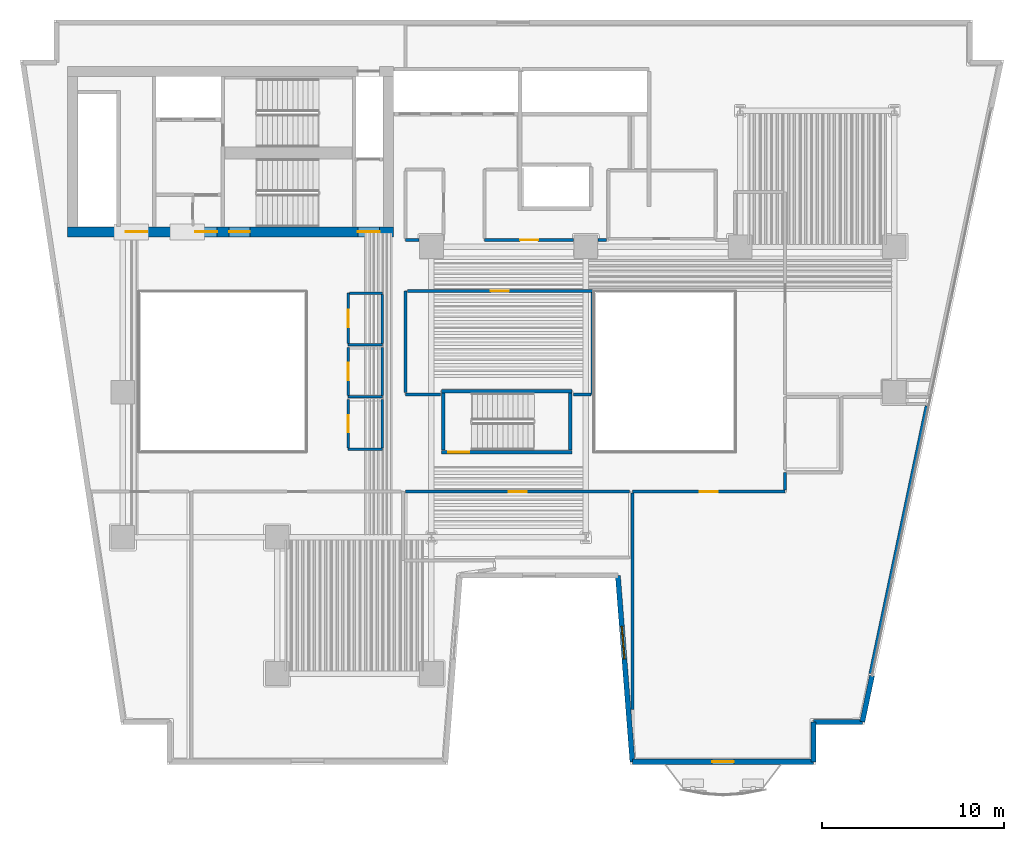
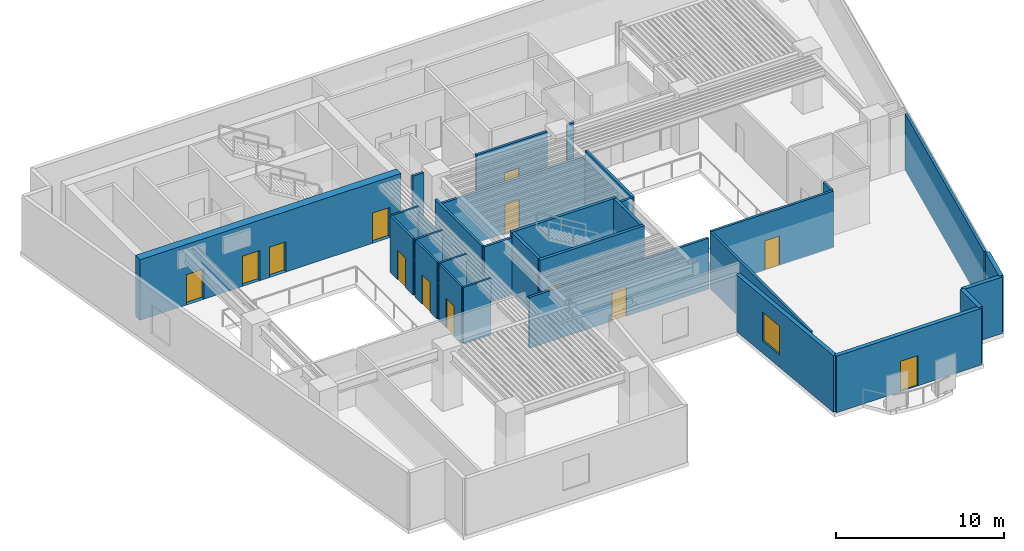
# One storey, part 4 of 12: 33 walls, 13 doors, 1 window, 14 openings.
"""IFC4 building model written with IfcOpenShell, lengths in metres."""

from ifc_helpers import new_model, si_unit, direction, frame, frame_2d, origin, place, context, subcontext, project, spatial, rectangle, extrude, material, layer, layer_set, type_object, element, fill, save


model = new_model("IFC4")

# Units and contexts
model_context = context("Model", 3, precision=1e-05, world=origin(), true_north=direction((0.0, 1.0)))
body_context = subcontext(model_context, "Body", "Model", "MODEL_VIEW")
ifc_project = project(units=[si_unit("LENGTHUNIT", "METRE"), si_unit("AREAUNIT", "SQUARE_METRE"), si_unit("VOLUMEUNIT", "CUBIC_METRE"), si_unit("PLANEANGLEUNIT", "RADIAN"), si_unit("MASSUNIT", "GRAM", prefix="KILO")], contexts=[model_context])

# Site, building, storey
site_placement = place(None, origin())
site = spatial("IfcSite", under=ifc_project, at=site_placement, CompositionType="ELEMENT")
building_placement = place(site_placement, origin())
building = spatial("IfcBuilding", under=site, at=building_placement, Name="Caeloran Harvest Quay", CompositionType="ELEMENT")
storey_placement = place(building_placement, frame((0.0, 0.0, 93.0)))
storey = spatial("IfcBuildingStorey", under=building, at=storey_placement, Name="L21", CompositionType="ELEMENT", Elevation=93.0)

# Walls
ifc_material_1 = material(Name="Precast concrete C50/60", Category="concrete")
ifc_layer_1 = layer(ifc_material_1, 0.280029296875, Name="Precast concrete C50/60")
ifc_layer_set_1 = layer_set([ifc_layer_1], Name="Precast concrete C50/60")
wall_type_1 = type_object("IfcWallType", Name="ENV-WALL-EW-280", PredefinedType="STANDARD", material=ifc_layer_set_1)
wall_1_placement = place(storey_placement, frame((49.77001953125, 7.384521484375, 0.0), z_axis=(0.0, 0.0, 1.0), x_axis=(-0.205551409765, -0.978646319128, 0.0)))
element("IfcWall", 1, at=wall_1_placement, inside=storey, type_object=wall_type_1, Name="L21 Exterior Facade Corner Pier Wall 9B", PredefinedType="STANDARD", context=body_context, shape_type="SweptSolid", body=[
    extrude(rectangle(XDim=2.599853515625, YDim=0.280029296875, at=frame_2d((1.2998046875, 0.0))), origin(), (0.0, 0.0, 1.0), 4.114990234375),
])
wall_2_placement = place(storey_placement, frame((49.235595703125, 4.840087890625, 0.0), z_axis=(0.0, 0.0, 1.0), x_axis=(-1.0, 0.0, 0.0)))
element("IfcWall", 2, at=wall_2_placement, inside=storey, type_object=wall_type_1, Name="L21 Exterior Precast Concrete Facade Wall 10", PredefinedType="STANDARD", context=body_context, shape_type="SweptSolid", body=[
    extrude(rectangle(XDim=2.6884765625, YDim=0.280029296875, at=frame_2d((1.34423828125, 0.0))), origin(), (0.0, 0.0, 1.0), 4.114990234375),
])
wall_3_placement = place(storey_placement, frame((46.547119140625, 4.840087890625, 0.0), z_axis=(0.0, 0.0, 1.0), x_axis=(0.0, -1.0, 0.0)))
element("IfcWall", 3, at=wall_3_placement, inside=storey, type_object=wall_type_1, Name="L21 Exterior Precast Concrete Facade Wall 11", PredefinedType="STANDARD", context=body_context, shape_type="SweptSolid", body=[
    extrude(rectangle(XDim=2.2001953125, YDim=0.280029296875, at=frame_2d((1.10009765625, 0.0))), origin(), (0.0, 0.0, 1.0), 4.114990234375),
])

# Wall, opening, door
wall_4_placement = place(storey_placement, frame((46.547119140625, 2.639892578125, 0.0), z_axis=(0.0, 0.0, 1.0), x_axis=(-1.0, 0.0, 0.0)))
wall_4 = element("IfcWall", 4, at=wall_4_placement, inside=storey, type_object=wall_type_1, Name="L21 Exterior Precast Concrete Facade Wall 12", PredefinedType="STANDARD", context=body_context, shape_type="SweptSolid", body=[
    extrude(rectangle(XDim=9.97705078125, YDim=0.280029296875, at=frame_2d((4.988525390625, 0.0))), origin(), (0.0, 0.0, 1.0), 4.114990234375),
])
opening_1_placement = place(wall_4_placement, frame((4.387939453125, 0.0, 0.0)))
opening_1 = element("IfcOpeningElement", 5, at=opening_1_placement, cuts=wall_4, Name="Opening BD-01", PredefinedType="OPENING", context=body_context, shape_type="SweptSolid", body=[
    extrude(rectangle(XDim=1.199951171875, YDim=2.199951171875, at=frame_2d((0.60009765625, 1.10009765625))), frame((0.0, 0.14990234375, 0.0), z_axis=(0.0, -1.0, 0.0), x_axis=(1.0, 0.0, 0.0)), (0.0, 0.0, 1.0), 0.300048828125),
])
ifc_material_2 = material(Name="Thermally Broken Powder-Coated Aluminium and Safety Glass", Category="aluminium")
door_type_1 = type_object("IfcDoorType", Name="EXTDOOR-BD-01", OperationType="NOTDEFINED", PredefinedType="DOOR", material=ifc_material_2)
door_1_placement = place(opening_1_placement, origin())
door_1 = element("IfcDoor", 6, at=door_1_placement, inside=storey, type_object=door_type_1, Name="L21 Planted Balcony Glazed Access Door", OperationType="SINGLE_SWING_RIGHT", OverallHeight=2.199951171875, OverallWidth=1.199951171875, PredefinedType="DOOR", context=body_context, shape_type="SweptSolid", body=[
    extrude(rectangle(XDim=1.199951171875, YDim=2.199951171875, at=frame_2d((0.60009765625, 1.10009765625))), frame((0.0, 0.02490234375, 0.0), z_axis=(0.0, -1.0, 0.0), x_axis=(1.0, 0.0, 0.0)), (0.0, 0.0, 1.0), 0.050048828125),
])
fill(opening_1, door_1)

# Wall, opening, window
wall_5_placement = place(storey_placement, frame((36.570068359375, 2.639892578125, 0.0), z_axis=(0.0, 0.0, 1.0), x_axis=(-0.077816860153, 0.996967670627, 0.0)))
wall_5 = element("IfcWall", 7, at=wall_5_placement, inside=storey, type_object=wall_type_1, Name="L21 Exterior Precast Concrete Facade Wall 13", PredefinedType="STANDARD", context=body_context, shape_type="SweptSolid", body=[
    extrude(rectangle(XDim=10.28125, YDim=0.280029296875, at=frame_2d((5.140625, 0.0))), origin(), (0.0, 0.0, 1.0), 4.114990234375),
])
opening_2_placement = place(wall_5_placement, frame((5.679931640625, 0.0, 0.89990234375)))
opening_2 = element("IfcOpeningElement", 8, at=opening_2_placement, cuts=wall_5, Name="Opening W-01", PredefinedType="OPENING", context=body_context, shape_type="SweptSolid", body=[
    extrude(rectangle(XDim=1.800048828125, YDim=2.10009765625, at=frame_2d((0.89990234375, 1.050048828125))), frame((0.0, 0.14990234375, 0.0), z_axis=(0.0, -1.0, 0.0), x_axis=(1.0, 0.0, 0.0)), (0.0, 0.0, 1.0), 0.300048828125),
])
ifc_material_3 = material(Name="Aluminium-Framed Low-E Laminated Glass", Category="aluminium")
window_type = type_object("IfcWindowType", Name="WIN-W-01", PartitioningType="SINGLE_PANEL", PredefinedType="WINDOW", material=ifc_material_3)
window_placement = place(opening_2_placement, origin())
window = element("IfcWindow", 9, at=window_placement, inside=storey, type_object=window_type, Name="L21 Facade Punched Window W-01", OverallHeight=2.10009765625, OverallWidth=1.800048828125, PartitioningType="SINGLE_PANEL", PredefinedType="WINDOW", context=body_context, shape_type="SweptSolid", body=[
    extrude(rectangle(XDim=1.800048828125, YDim=2.10009765625, at=frame_2d((0.89990234375, 1.050048828125))), frame((0.0, 0.030029296875, 0.0), z_axis=(0.0, -1.0, 0.0), x_axis=(1.0, 0.0, 0.0)), (0.0, 0.0, 1.0), 0.06005859375),
])
fill(opening_2, window)

# Wall
ifc_material_4 = material(Name="Moisture-Resistant Cement-Board Sanitary Partition", Category="gypsum")
ifc_layer_2 = layer(ifc_material_4, 0.139892578125, Name="Moisture-Resistant Cement-Board Sanitary Partition")
ifc_layer_set_2 = layer_set([ifc_layer_2], Name="Moisture-Resistant Cement-Board Sanitary Partition")
wall_type_2 = type_object("IfcWallType", Name="INT-WALL-PW-140", PredefinedType="PARTITIONING", material=ifc_layer_set_2)
wall_6_placement = place(storey_placement, frame((22.800048828125, 25.60009765625, 0.0), z_axis=(0.0, 0.0, 1.0), x_axis=(-1.0, 0.0, 0.0)))
element("IfcWall", 10, at=wall_6_placement, inside=storey, type_object=wall_type_2, Name="L21 Male Washroom WC Partition Wall", PredefinedType="PARTITIONING", context=body_context, shape_type="SweptSolid", body=[
    extrude(rectangle(XDim=1.89013671875, YDim=0.139892578125, at=frame_2d((0.945068359375, 0.0))), origin(), (0.0, 0.0, 1.0), 4.114990234375),
])

# Wall, opening, door
wall_7_placement = place(storey_placement, frame((20.909912109375, 25.675048828125, 0.0), z_axis=(0.0, 0.0, 1.0), x_axis=(0.0, 1.0, 0.0)))
wall_7 = element("IfcWall", 11, at=wall_7_placement, inside=storey, type_object=wall_type_2, Name="L21 Male Washroom WC Partition Wall", PredefinedType="PARTITIONING", context=body_context, shape_type="SweptSolid", body=[
    extrude(rectangle(XDim=2.77490234375, YDim=0.139892578125, at=frame_2d((1.387451171875, 0.0))), origin(), (0.0, 0.0, 1.0), 4.114990234375),
])
opening_3_placement = place(wall_7_placement, frame((0.91259765625, 0.0, 0.0)))
opening_3 = element("IfcOpeningElement", 12, at=opening_3_placement, cuts=wall_7, Name="Opening WC-01", PredefinedType="OPENING", context=body_context, shape_type="SweptSolid", body=[
    extrude(rectangle(XDim=0.949951171875, YDim=2.14990234375, at=frame_2d((0.47509765625, 1.074951171875))), frame((0.0, 0.080078125, 0.0), z_axis=(0.0, -1.0, 0.0), x_axis=(1.0, 0.0, 0.0)), (0.0, 0.0, 1.0), 0.159912109375),
])
ifc_material_5 = material(Name="High-Pressure Laminate Moisture-Resistant Timber", Category="wood")
door_type_2 = type_object("IfcDoorType", Name="INTDOOR-WC-01", OperationType="NOTDEFINED", PredefinedType="DOOR", material=ifc_material_5)
door_2_placement = place(opening_3_placement, origin())
door_2 = element("IfcDoor", 13, at=door_2_placement, inside=storey, type_object=door_type_2, Name="L21 Male Washroom WC Access Door", OperationType="SINGLE_SWING_RIGHT", OverallHeight=2.14990234375, OverallWidth=0.949951171875, PredefinedType="DOOR", context=body_context, shape_type="SweptSolid", body=[
    extrude(rectangle(XDim=0.949951171875, YDim=2.14990234375, at=frame_2d((0.47509765625, 1.074951171875))), frame((0.0, 0.02490234375, 0.0), z_axis=(0.0, -1.0, 0.0), x_axis=(1.0, 0.0, 0.0)), (0.0, 0.0, 1.0), 0.050048828125),
])
fill(opening_3, door_2)

# Walls
wall_8_placement = place(storey_placement, frame((20.985107421875, 28.449951171875, 0.0), z_axis=(0.0, 0.0, 1.0), x_axis=(1.0, 0.0, 0.0)))
element("IfcWall", 14, at=wall_8_placement, inside=storey, type_object=wall_type_2, Name="L21 Male Washroom WC Partition Wall", PredefinedType="PARTITIONING", context=body_context, shape_type="SweptSolid", body=[
    extrude(rectangle(XDim=1.81494140625, YDim=0.139892578125, at=frame_2d((0.907470703125, 0.0))), origin(), (0.0, 0.0, 1.0), 4.114990234375),
])
wall_9_placement = place(storey_placement, frame((22.800048828125, 28.375, 0.0), z_axis=(0.0, 0.0, 1.0), x_axis=(0.0, -1.0, 0.0)))
element("IfcWall", 15, at=wall_9_placement, inside=storey, type_object=wall_type_2, Name="L21 Male Washroom WC Partition Wall", PredefinedType="PARTITIONING", context=body_context, shape_type="SweptSolid", body=[
    extrude(rectangle(XDim=2.699951171875, YDim=0.139892578125, at=frame_2d((1.35009765625, 0.0))), origin(), (0.0, 0.0, 1.0), 3.699951171875),
])
wall_10_placement = place(storey_placement, frame((22.800048828125, 22.75, 0.0), z_axis=(0.0, 0.0, 1.0), x_axis=(-1.0, 0.0, 0.0)))
element("IfcWall", 16, at=wall_10_placement, inside=storey, type_object=wall_type_2, Name="L21 Female Washroom WC Partition Wall", PredefinedType="PARTITIONING", context=body_context, shape_type="SweptSolid", body=[
    extrude(rectangle(XDim=1.89013671875, YDim=0.139892578125, at=frame_2d((0.945068359375, 0.0))), origin(), (0.0, 0.0, 1.0), 4.114990234375),
])

# Wall, opening, door
wall_11_placement = place(storey_placement, frame((20.909912109375, 22.824951171875, 0.0), z_axis=(0.0, 0.0, 1.0), x_axis=(0.0, 1.0, 0.0)))
wall_11 = element("IfcWall", 17, at=wall_11_placement, inside=storey, type_object=wall_type_2, Name="L21 Female Washroom WC Partition Wall", PredefinedType="PARTITIONING", context=body_context, shape_type="SweptSolid", body=[
    extrude(rectangle(XDim=2.625, YDim=0.139892578125, at=frame_2d((1.3125, 0.0))), origin(), (0.0, 0.0, 1.0), 4.114990234375),
])
opening_4_placement = place(wall_11_placement, frame((0.83740234375, 0.0, 0.0)))
opening_4 = element("IfcOpeningElement", 18, at=opening_4_placement, cuts=wall_11, Name="Opening WC-01", PredefinedType="OPENING", context=body_context, shape_type="SweptSolid", body=[
    extrude(rectangle(XDim=0.949951171875, YDim=2.14990234375, at=frame_2d((0.47509765625, 1.074951171875))), frame((0.0, 0.080078125, 0.0), z_axis=(0.0, -1.0, 0.0), x_axis=(1.0, 0.0, 0.0)), (0.0, 0.0, 1.0), 0.159912109375),
])
door_3_placement = place(opening_4_placement, origin())
door_3 = element("IfcDoor", 19, at=door_3_placement, inside=storey, type_object=door_type_2, Name="L21 Female Washroom WC Access Door", OperationType="SINGLE_SWING_LEFT", OverallHeight=2.14990234375, OverallWidth=0.949951171875, PredefinedType="DOOR", context=body_context, shape_type="SweptSolid", body=[
    extrude(rectangle(XDim=0.949951171875, YDim=2.14990234375, at=frame_2d((0.47509765625, 1.074951171875))), frame((0.0, 0.02490234375, 0.0), z_axis=(0.0, -1.0, 0.0), x_axis=(1.0, 0.0, 0.0)), (0.0, 0.0, 1.0), 0.050048828125),
])
fill(opening_4, door_3)

# Walls
wall_12_placement = place(storey_placement, frame((22.800048828125, 25.449951171875, 0.0), z_axis=(0.0, 0.0, 1.0), x_axis=(0.0, -1.0, 0.0)))
element("IfcWall", 20, at=wall_12_placement, inside=storey, type_object=wall_type_2, Name="L21 Female Washroom WC Partition Wall", PredefinedType="PARTITIONING", context=body_context, shape_type="SweptSolid", body=[
    extrude(rectangle(XDim=2.625, YDim=0.139892578125, at=frame_2d((1.3125, 0.0))), origin(), (0.0, 0.0, 1.0), 3.699951171875),
])
wall_13_placement = place(storey_placement, frame((22.800048828125, 19.85009765625, 0.0), z_axis=(0.0, 0.0, 1.0), x_axis=(-1.0, 0.0, 0.0)))
element("IfcWall", 21, at=wall_13_placement, inside=storey, type_object=wall_type_2, Name="L21 Accessible Unisex Washroom WC Partition Wall", PredefinedType="PARTITIONING", context=body_context, shape_type="SweptSolid", body=[
    extrude(rectangle(XDim=1.89013671875, YDim=0.139892578125, at=frame_2d((0.945068359375, 0.0))), origin(), (0.0, 0.0, 1.0), 4.114990234375),
])

# Wall, opening, door
wall_14_placement = place(storey_placement, frame((20.909912109375, 19.925048828125, 0.0), z_axis=(0.0, 0.0, 1.0), x_axis=(0.0, 1.0, 0.0)))
wall_14 = element("IfcWall", 22, at=wall_14_placement, inside=storey, type_object=wall_type_2, Name="L21 Accessible Unisex Washroom WC Partition Wall", PredefinedType="PARTITIONING", context=body_context, shape_type="SweptSolid", body=[
    extrude(rectangle(XDim=2.675048828125, YDim=0.139892578125, at=frame_2d((1.33740234375, 0.0))), origin(), (0.0, 0.0, 1.0), 4.114990234375),
])
opening_5_placement = place(wall_14_placement, frame((0.862548828125, 0.0, 0.0)))
opening_5 = element("IfcOpeningElement", 23, at=opening_5_placement, cuts=wall_14, Name="Opening WC-01", PredefinedType="OPENING", context=body_context, shape_type="SweptSolid", body=[
    extrude(rectangle(XDim=0.949951171875, YDim=2.14990234375, at=frame_2d((0.47509765625, 1.074951171875))), frame((0.0, 0.080078125, 0.0), z_axis=(0.0, -1.0, 0.0), x_axis=(1.0, 0.0, 0.0)), (0.0, 0.0, 1.0), 0.159912109375),
])
door_4_placement = place(opening_5_placement, origin())
door_4 = element("IfcDoor", 24, at=door_4_placement, inside=storey, type_object=door_type_2, Name="L21 Accessible Unisex Washroom WC Access Door", OperationType="SINGLE_SWING_RIGHT", OverallHeight=2.14990234375, OverallWidth=0.949951171875, PredefinedType="DOOR", context=body_context, shape_type="SweptSolid", body=[
    extrude(rectangle(XDim=0.949951171875, YDim=2.14990234375, at=frame_2d((0.47509765625, 1.074951171875))), frame((0.0, 0.02490234375, 0.0), z_axis=(0.0, -1.0, 0.0), x_axis=(1.0, 0.0, 0.0)), (0.0, 0.0, 1.0), 0.050048828125),
])
fill(opening_5, door_4)

# Wall
wall_15_placement = place(storey_placement, frame((22.800048828125, 22.60009765625, 0.0), z_axis=(0.0, 0.0, 1.0), x_axis=(0.0, -1.0, 0.0)))
element("IfcWall", 25, at=wall_15_placement, inside=storey, type_object=wall_type_2, Name="L21 Accessible Unisex Washroom WC Partition Wall", PredefinedType="PARTITIONING", context=body_context, shape_type="SweptSolid", body=[
    extrude(rectangle(XDim=2.675048828125, YDim=0.139892578125, at=frame_2d((1.33740234375, 0.0))), origin(), (0.0, 0.0, 1.0), 3.699951171875),
])

# Wall, opening, door
ifc_material_6 = material(Name="Autoclaved Aerated Concrete Blockwork", Category="masonry")
ifc_layer_3 = layer(ifc_material_6, 0.1650390625, Name="Autoclaved Aerated Concrete Blockwork")
ifc_layer_set_3 = layer_set([ifc_layer_3], Name="Autoclaved Aerated Concrete Blockwork")
wall_type_3 = type_object("IfcWallType", Name="INT-WALL-PW-165", PredefinedType="PARTITIONING", material=ifc_layer_set_3)
wall_16_placement = place(storey_placement, frame((36.580078125, 17.52001953125, 0.0), z_axis=(0.0, 0.0, 1.0), x_axis=(1.0, 0.0, 0.0)))
wall_16 = element("IfcWall", 26, at=wall_16_placement, inside=storey, type_object=wall_type_3, Name="Biophilic Architecture Atelier Partition Wall", PredefinedType="PARTITIONING", context=body_context, shape_type="SweptSolid", body=[
    extrude(rectangle(XDim=8.39990234375, YDim=0.1650390625, at=frame_2d((4.199951171875, 0.0))), origin(), (0.0, 0.0, 1.0), 4.114990234375),
])
opening_6_placement = place(wall_16_placement, frame((3.699951171875, 0.0, 0.0)))
opening_6 = element("IfcOpeningElement", 27, at=opening_6_placement, cuts=wall_16, Name="Opening ID-01", PredefinedType="OPENING", context=body_context, shape_type="SweptSolid", body=[
    extrude(rectangle(XDim=1.0, YDim=2.14990234375, at=frame_2d((0.5, 1.074951171875))), frame((0.0, 0.092529296875, 0.0), z_axis=(0.0, -1.0, 0.0), x_axis=(1.0, 0.0, 0.0)), (0.0, 0.0, 1.0), 0.18505859375),
])
ifc_material_7 = material(Name="FSC Solid-Core Ash Timber and Acoustic Seal", Category="wood")
door_type_3 = type_object("IfcDoorType", Name="INTDOOR-ID-01", OperationType="NOTDEFINED", PredefinedType="DOOR", material=ifc_material_7)
door_5_placement = place(opening_6_placement, origin())
door_5 = element("IfcDoor", 28, at=door_5_placement, inside=storey, type_object=door_type_3, Name="Biophilic Architecture Atelier Access Door", OperationType="SINGLE_SWING_LEFT", OverallHeight=2.14990234375, OverallWidth=1.0, PredefinedType="DOOR", context=body_context, shape_type="SweptSolid", body=[
    extrude(rectangle(XDim=1.0, YDim=2.14990234375, at=frame_2d((0.5, 1.074951171875))), frame((0.0, 0.02490234375, 0.0), z_axis=(0.0, -1.0, 0.0), x_axis=(1.0, 0.0, 0.0)), (0.0, 0.0, 1.0), 0.050048828125),
])
fill(opening_6, door_5)

# Walls
wall_17_placement = place(storey_placement, frame((44.97998046875, 17.607421875, 0.0), z_axis=(0.0, 0.0, 1.0), x_axis=(0.0, 1.0, 0.0)))
element("IfcWall", 29, at=wall_17_placement, inside=storey, type_object=wall_type_3, Name="Biophilic Architecture Atelier Partition Wall", PredefinedType="PARTITIONING", context=body_context, shape_type="SweptSolid", body=[
    extrude(rectangle(XDim=0.962646484375, YDim=0.1650390625, at=frame_2d((0.4814453125, 0.0))), origin(), (0.0, 0.0, 1.0), 4.114990234375),
])
wall_18_placement = place(storey_placement, frame((52.769775390625, 22.24755859375, 0.0), z_axis=(0.0, 0.0, 1.0), x_axis=(-0.205582566906, -0.978639774475, 0.0)))
element("IfcWall", 30, at=wall_18_placement, inside=storey, type_object=wall_type_3, Name="Biophilic Architecture Atelier Partition Wall", PredefinedType="PARTITIONING", context=body_context, shape_type="SweptSolid", body=[
    extrude(rectangle(XDim=15.067626953125, YDim=0.1650390625, at=frame_2d((7.53369140625, 0.0))), origin(), (0.0, 0.0, 1.0), 4.114990234375),
])
wall_19_placement = place(storey_placement, frame((36.580078125, 5.525390625, 0.0), z_axis=(0.0, 0.0, 1.0), x_axis=(0.0, 1.0, 0.0)))
element("IfcWall", 31, at=wall_19_placement, inside=storey, type_object=wall_type_3, Name="Biophilic Architecture Atelier Partition Wall", PredefinedType="PARTITIONING", context=body_context, shape_type="SweptSolid", body=[
    extrude(rectangle(XDim=11.9072265625, YDim=0.1650390625, at=frame_2d((5.95361328125, 0.0))), origin(), (0.0, 0.0, 1.0), 4.114990234375),
])

# Wall, opening, door
wall_20_placement = place(storey_placement, frame((24.080078125, 17.52001953125, 0.0), z_axis=(0.0, 0.0, 1.0), x_axis=(1.0, 0.0, 0.0)))
wall_20 = element("IfcWall", 32, at=wall_20_placement, inside=storey, type_object=wall_type_3, Name="Client Briefing Conference Room Partition Wall", PredefinedType="PARTITIONING", context=body_context, shape_type="SweptSolid", body=[
    extrude(rectangle(XDim=12.33984375, YDim=0.1650390625, at=frame_2d((6.169921875, 0.0))), origin(), (0.0, 0.0, 1.0), 3.699951171875),
])
opening_7_placement = place(wall_20_placement, frame((5.669921875, 0.0, 0.0)))
opening_7 = element("IfcOpeningElement", 33, at=opening_7_placement, cuts=wall_20, Name="Opening ID-01", PredefinedType="OPENING", context=body_context, shape_type="SweptSolid", body=[
    extrude(rectangle(XDim=1.0, YDim=2.14990234375, at=frame_2d((0.5, 1.074951171875))), frame((0.0, 0.092529296875, 0.0), z_axis=(0.0, -1.0, 0.0), x_axis=(1.0, 0.0, 0.0)), (0.0, 0.0, 1.0), 0.18505859375),
])
door_6_placement = place(opening_7_placement, origin())
door_6 = element("IfcDoor", 34, at=door_6_placement, inside=storey, type_object=door_type_3, Name="Client Briefing Conference Room Access Door", OperationType="SINGLE_SWING_RIGHT", OverallHeight=2.14990234375, OverallWidth=1.0, PredefinedType="DOOR", context=body_context, shape_type="SweptSolid", body=[
    extrude(rectangle(XDim=1.0, YDim=2.14990234375, at=frame_2d((0.5, 1.074951171875))), frame((0.0, 0.02490234375, 0.0), z_axis=(0.0, -1.0, 0.0), x_axis=(1.0, 0.0, 0.0)), (0.0, 0.0, 1.0), 0.050048828125),
])
fill(opening_7, door_6)

# Walls
wall_21_placement = place(storey_placement, frame((25.98681640625, 22.8798828125, 0.0), z_axis=(0.0, 0.0, 1.0), x_axis=(-1.0, 0.0, 0.0)))
element("IfcWall", 35, at=wall_21_placement, inside=storey, type_object=wall_type_3, Name="Botanical Sketch Studio Partition Wall", PredefinedType="PARTITIONING", context=body_context, shape_type="SweptSolid", body=[
    extrude(rectangle(XDim=1.90673828125, YDim=0.1650390625, at=frame_2d((0.953369140625, 0.0))), origin(), (0.0, 0.0, 1.0), 4.114990234375),
])
wall_22_placement = place(storey_placement, frame((24.080078125, 22.967529296875, 0.0), z_axis=(0.0, 0.0, 1.0), x_axis=(0.0, 1.0, 0.0)))
element("IfcWall", 36, at=wall_22_placement, inside=storey, type_object=wall_type_3, Name="Botanical Sketch Studio Partition Wall", PredefinedType="PARTITIONING", context=body_context, shape_type="SweptSolid", body=[
    extrude(rectangle(XDim=5.6025390625, YDim=0.1650390625, at=frame_2d((2.80126953125, 0.0))), origin(), (0.0, 0.0, 1.0), 4.114990234375),
])

# Wall, opening, door
wall_23_placement = place(storey_placement, frame((24.16748046875, 28.570068359375, 0.0), z_axis=(0.0, 0.0, 1.0), x_axis=(1.0, 0.0, 0.0)))
wall_23 = element("IfcWall", 37, at=wall_23_placement, inside=storey, type_object=wall_type_3, Name="Botanical Sketch Studio Partition Wall", PredefinedType="PARTITIONING", context=body_context, shape_type="SweptSolid", body=[
    extrude(rectangle(XDim=10.20263671875, YDim=0.1650390625, at=frame_2d((5.101318359375, 0.0))), origin(), (0.0, 0.0, 1.0), 3.699951171875),
])
opening_8_placement = place(wall_23_placement, frame((4.601318359375, 0.0, 0.0)))
opening_8 = element("IfcOpeningElement", 38, at=opening_8_placement, cuts=wall_23, Name="Opening ID-01", PredefinedType="OPENING", context=body_context, shape_type="SweptSolid", body=[
    extrude(rectangle(XDim=1.0, YDim=2.14990234375, at=frame_2d((0.5, 1.074951171875))), frame((0.0, 0.092529296875, 0.0), z_axis=(0.0, -1.0, 0.0), x_axis=(1.0, 0.0, 0.0)), (0.0, 0.0, 1.0), 0.18505859375),
])
door_7_placement = place(opening_8_placement, origin())
door_7 = element("IfcDoor", 39, at=door_7_placement, inside=storey, type_object=door_type_3, Name="Botanical Sketch Studio Access Door", OperationType="SINGLE_SWING_RIGHT", OverallHeight=2.14990234375, OverallWidth=1.0, PredefinedType="DOOR", context=body_context, shape_type="SweptSolid", body=[
    extrude(rectangle(XDim=1.0, YDim=2.14990234375, at=frame_2d((0.5, 1.074951171875))), frame((0.0, 0.02490234375, 0.0), z_axis=(0.0, -1.0, 0.0), x_axis=(1.0, 0.0, 0.0)), (0.0, 0.0, 1.0), 0.050048828125),
])
fill(opening_8, door_7)

# Walls
wall_24_placement = place(storey_placement, frame((34.3701171875, 28.482421875, 0.0), z_axis=(0.0, 0.0, 1.0), x_axis=(0.0, -1.0, 0.0)))
element("IfcWall", 40, at=wall_24_placement, inside=storey, type_object=wall_type_3, Name="Botanical Sketch Studio Partition Wall", PredefinedType="PARTITIONING", context=body_context, shape_type="SweptSolid", body=[
    extrude(rectangle(XDim=5.6025390625, YDim=0.1650390625, at=frame_2d((2.80126953125, 0.0))), origin(), (0.0, 0.0, 1.0), 4.114990234375),
])
wall_25_placement = place(storey_placement, frame((34.282470703125, 22.8798828125, 0.0), z_axis=(0.0, 0.0, 1.0), x_axis=(-1.0, 0.0, 0.0)))
element("IfcWall", 41, at=wall_25_placement, inside=storey, type_object=wall_type_3, Name="Botanical Sketch Studio Partition Wall", PredefinedType="PARTITIONING", context=body_context, shape_type="SweptSolid", body=[
    extrude(rectangle(XDim=0.96923828125, YDim=0.1650390625, at=frame_2d((0.484619140625, 0.0))), origin(), (0.0, 0.0, 1.0), 4.114990234375),
])
wall_26_placement = place(storey_placement, frame((24.824951171875, 31.3798828125, 0.0), z_axis=(0.0, 0.0, 1.0), x_axis=(-1.0, 0.0, 0.0)))
element("IfcWall", 42, at=wall_26_placement, inside=storey, type_object=wall_type_3, Name="Partner Boardroom Partition Wall", PredefinedType="PARTITIONING", context=body_context, shape_type="SweptSolid", body=[
    extrude(rectangle(XDim=0.744873046875, YDim=0.1650390625, at=frame_2d((0.37255859375, 0.0))), origin(), (0.0, 0.0, 1.0), 4.114990234375),
])
wall_27_placement = place(storey_placement, frame((35.155517578125, 31.3798828125, 0.0), z_axis=(0.0, 0.0, 1.0), x_axis=(-1.0, 0.0, 0.0)))
element("IfcWall", 43, at=wall_27_placement, inside=storey, type_object=wall_type_3, Name="Executive Agronomy Design Studio 8 Partition Wall", PredefinedType="PARTITIONING", context=body_context, shape_type="SweptSolid", body=[
    extrude(rectangle(XDim=0.48046875, YDim=0.1650390625, at=frame_2d((0.240234375, 0.0))), origin(), (0.0, 0.0, 1.0), 4.114990234375),
])

# Wall, opening, door
wall_28_placement = place(storey_placement, frame((33.324951171875, 31.3798828125, 0.0), z_axis=(0.0, 0.0, 1.0), x_axis=(-1.0, 0.0, 0.0)))
wall_28 = element("IfcWall", 44, at=wall_28_placement, inside=storey, type_object=wall_type_3, Name="Executive Agronomy Design Studio 8 Partition Wall", PredefinedType="PARTITIONING", context=body_context, shape_type="SweptSolid", body=[
    extrude(rectangle(XDim=4.89501953125, YDim=0.1650390625, at=frame_2d((2.447509765625, 0.0))), origin(), (0.0, 0.0, 1.0), 4.114990234375),
])
opening_9_placement = place(wall_28_placement, frame((1.947509765625, 0.0, 0.0)))
opening_9 = element("IfcOpeningElement", 45, at=opening_9_placement, cuts=wall_28, Name="Opening ID-01", PredefinedType="OPENING", context=body_context, shape_type="SweptSolid", body=[
    extrude(rectangle(XDim=1.0, YDim=2.14990234375, at=frame_2d((0.5, 1.074951171875))), frame((0.0, 0.092529296875, 0.0), z_axis=(0.0, -1.0, 0.0), x_axis=(1.0, 0.0, 0.0)), (0.0, 0.0, 1.0), 0.18505859375),
])
door_8_placement = place(opening_9_placement, origin())
door_8 = element("IfcDoor", 46, at=door_8_placement, inside=storey, type_object=door_type_3, Name="Executive Agronomy Design Studio 8 Access Door", OperationType="SINGLE_SWING_RIGHT", OverallHeight=2.14990234375, OverallWidth=1.0, PredefinedType="DOOR", context=body_context, shape_type="SweptSolid", body=[
    extrude(rectangle(XDim=1.0, YDim=2.14990234375, at=frame_2d((0.5, 1.074951171875))), frame((0.0, 0.02490234375, 0.0), z_axis=(0.0, -1.0, 0.0), x_axis=(1.0, 0.0, 0.0)), (0.0, 0.0, 1.0), 0.050048828125),
])
fill(opening_9, door_8)

# Wall, openings, doors
ifc_material_8 = material(Name="Concrete C80/95", Category="concrete")
ifc_layer_4 = layer(ifc_material_8, 0.550048828125, Name="Concrete C80/95")
ifc_layer_set_4 = layer_set([ifc_layer_4], Name="Concrete C80/95")
wall_type_4 = type_object("IfcWallType", Name="STR-WALL-CW-550", PredefinedType="SHEAR", material=ifc_layer_set_4)
wall_29_placement = place(storey_placement, frame((5.449951171875, 31.824951171875, 0.0), z_axis=(0.0, 0.0, 1.0), x_axis=(1.0, 0.0, 0.0)))
wall_29 = element("IfcWall", 47, at=wall_29_placement, inside=storey, type_object=wall_type_4, Name="L21 Rear Core Shear Wall S", PredefinedType="SHEAR", context=body_context, shape_type="SweptSolid", body=[
    extrude(rectangle(XDim=17.949951171875, YDim=0.550048828125, at=frame_2d((8.97509765625, 0.0))), origin(), (0.0, 0.0, 1.0), 4.39990234375),
])
opening_10_placement = place(wall_29_placement, frame((3.199951171875, 0.0, 0.0)))
opening_10 = element("IfcOpeningElement", 48, at=opening_10_placement, cuts=wall_29, Name="Opening FD-01", PredefinedType="OPENING", context=body_context, shape_type="SweptSolid", body=[
    extrude(rectangle(XDim=1.199951171875, YDim=2.199951171875, at=frame_2d((0.60009765625, 1.10009765625))), frame((0.0, 0.28515625, 0.0), z_axis=(0.0, -1.0, 0.0), x_axis=(1.0, 0.0, 0.0)), (0.0, 0.0, 1.0), 0.570068359375),
])
opening_11_placement = place(wall_29_placement, frame((7.050048828125, 0.0, 0.0)))
opening_11 = element("IfcOpeningElement", 49, at=opening_11_placement, cuts=wall_29, Name="Opening FD-01", PredefinedType="OPENING", context=body_context, shape_type="SweptSolid", body=[
    extrude(rectangle(XDim=1.199951171875, YDim=2.199951171875, at=frame_2d((0.60009765625, 1.10009765625))), frame((0.0, 0.28515625, 0.0), z_axis=(0.0, -1.0, 0.0), x_axis=(1.0, 0.0, 0.0)), (0.0, 0.0, 1.0), 0.570068359375),
])
opening_12_placement = place(wall_29_placement, frame((8.89990234375, 0.0, 0.0)))
opening_12 = element("IfcOpeningElement", 50, at=opening_12_placement, cuts=wall_29, Name="Opening SD-01", PredefinedType="OPENING", context=body_context, shape_type="SweptSolid", body=[
    extrude(rectangle(XDim=1.14990234375, YDim=2.199951171875, at=frame_2d((0.574951171875, 1.10009765625))), frame((0.0, 0.28515625, 0.0), z_axis=(0.0, -1.0, 0.0), x_axis=(1.0, 0.0, 0.0)), (0.0, 0.0, 1.0), 0.570068359375),
])
opening_13_placement = place(wall_29_placement, frame((16.0, 0.0, 0.0)))
opening_13 = element("IfcOpeningElement", 51, at=opening_13_placement, cuts=wall_29, Name="Opening FD-01", PredefinedType="OPENING", context=body_context, shape_type="SweptSolid", body=[
    extrude(rectangle(XDim=1.199951171875, YDim=2.199951171875, at=frame_2d((0.60009765625, 1.10009765625))), frame((0.0, 0.28515625, 0.0), z_axis=(0.0, -1.0, 0.0), x_axis=(1.0, 0.0, 0.0)), (0.0, 0.0, 1.0), 0.570068359375),
])
ifc_material_9 = material(Name="Steel", Category="steel")
door_type_4 = type_object("IfcDoorType", Name="INTDOOR-FD-01", OperationType="NOTDEFINED", PredefinedType="DOOR", material=ifc_material_9)
door_9_placement = place(opening_10_placement, origin())
door_9 = element("IfcDoor", 52, at=door_9_placement, inside=storey, type_object=door_type_4, Name="L21 High-Rise Lift Lobby Fire Door", OperationType="SINGLE_SWING_LEFT", OverallHeight=2.199951171875, OverallWidth=1.199951171875, PredefinedType="DOOR", context=body_context, shape_type="SweptSolid", body=[
    extrude(rectangle(XDim=1.199951171875, YDim=2.199951171875, at=frame_2d((0.60009765625, 1.10009765625))), frame((0.0, 0.02490234375, 0.0), z_axis=(0.0, -1.0, 0.0), x_axis=(1.0, 0.0, 0.0)), (0.0, 0.0, 1.0), 0.050048828125),
])
fill(opening_10, door_9)
door_10_placement = place(opening_11_placement, origin())
door_10 = element("IfcDoor", 53, at=door_10_placement, inside=storey, type_object=door_type_4, Name="L21 Firefighting Lobby Vestibule Fire Door", OperationType="SINGLE_SWING_RIGHT", OverallHeight=2.199951171875, OverallWidth=1.199951171875, PredefinedType="DOOR", context=body_context, shape_type="SweptSolid", body=[
    extrude(rectangle(XDim=1.199951171875, YDim=2.199951171875, at=frame_2d((0.60009765625, 1.10009765625))), frame((0.0, 0.02490234375, 0.0), z_axis=(0.0, -1.0, 0.0), x_axis=(1.0, 0.0, 0.0)), (0.0, 0.0, 1.0), 0.050048828125),
])
fill(opening_11, door_10)
door_11_placement = place(opening_13_placement, origin())
door_11 = element("IfcDoor", 54, at=door_11_placement, inside=storey, type_object=door_type_4, Name="L21 Service Lift Lobby Fire Door", OperationType="SINGLE_SWING_RIGHT", OverallHeight=2.199951171875, OverallWidth=1.199951171875, PredefinedType="DOOR", context=body_context, shape_type="SweptSolid", body=[
    extrude(rectangle(XDim=1.199951171875, YDim=2.199951171875, at=frame_2d((0.60009765625, 1.10009765625))), frame((0.0, 0.02490234375, 0.0), z_axis=(0.0, -1.0, 0.0), x_axis=(1.0, 0.0, 0.0)), (0.0, 0.0, 1.0), 0.050048828125),
])
fill(opening_13, door_11)
door_type_5 = type_object("IfcDoorType", Name="INTDOOR-SD-01", OperationType="NOTDEFINED", PredefinedType="DOOR", material=ifc_material_9)
door_12_placement = place(opening_12_placement, origin())
door_12 = element("IfcDoor", 55, at=door_12_placement, inside=storey, type_object=door_type_5, Name="L21 Protected Stair ST-C2 Exit Door", OperationType="SINGLE_SWING_LEFT", OverallHeight=2.199951171875, OverallWidth=1.14990234375, PredefinedType="DOOR", context=body_context, shape_type="SweptSolid", body=[
    extrude(rectangle(XDim=1.14990234375, YDim=2.199951171875, at=frame_2d((0.574951171875, 1.10009765625))), frame((0.0, 0.02490234375, 0.0), z_axis=(0.0, -1.0, 0.0), x_axis=(1.0, 0.0, 0.0)), (0.0, 0.0, 1.0), 0.050048828125),
])
fill(opening_12, door_12)

# Wall, opening, door
ifc_material_10 = material(Name="Concrete C60/75", Category="concrete")
ifc_layer_5 = layer(ifc_material_10, 0.199951171875, Name="Concrete C60/75")
ifc_layer_set_5 = layer_set([ifc_layer_5], Name="Concrete C60/75")
wall_type_5 = type_object("IfcWallType", Name="STR-WALL-SW-200", PredefinedType="SHEAR", material=ifc_layer_set_5)
wall_30_placement = place(storey_placement, frame((26.050048828125, 19.699951171875, 0.0), z_axis=(0.0, 0.0, 1.0), x_axis=(1.0, 0.0, 0.0)))
wall_30 = element("IfcWall", 56, at=wall_30_placement, inside=storey, type_object=wall_type_5, Name="L21 Stair ST-W1 S RC Shaft Shear Wall", PredefinedType="SHEAR", context=body_context, shape_type="SweptSolid", body=[
    extrude(rectangle(XDim=7.199951171875, YDim=0.199951171875, at=frame_2d((3.60009765625, 0.0))), origin(), (0.0, 0.0, 1.0), 4.39990234375),
])
opening_14_placement = place(wall_30_placement, frame((0.3798828125, 0.0, 0.0)))
opening_14 = element("IfcOpeningElement", 57, at=opening_14_placement, cuts=wall_30, Name="Opening SD-01", PredefinedType="OPENING", context=body_context, shape_type="SweptSolid", body=[
    extrude(rectangle(XDim=1.14990234375, YDim=2.199951171875, at=frame_2d((0.574951171875, 1.10009765625))), frame((0.0, 0.10986328125, 0.0), z_axis=(0.0, -1.0, 0.0), x_axis=(1.0, 0.0, 0.0)), (0.0, 0.0, 1.0), 0.219970703125),
])
door_13_placement = place(opening_14_placement, origin())
door_13 = element("IfcDoor", 58, at=door_13_placement, inside=storey, type_object=door_type_5, Name="L21 Protected Exit Stair ST-W1 Fire Door", OperationType="SINGLE_SWING_RIGHT", OverallHeight=2.199951171875, OverallWidth=1.14990234375, PredefinedType="DOOR", context=body_context, shape_type="SweptSolid", body=[
    extrude(rectangle(XDim=1.14990234375, YDim=2.199951171875, at=frame_2d((0.574951171875, 1.10009765625))), frame((0.0, 0.02490234375, 0.0), z_axis=(0.0, -1.0, 0.0), x_axis=(1.0, 0.0, 0.0)), (0.0, 0.0, 1.0), 0.050048828125),
])
fill(opening_14, door_13)

# Walls
wall_31_placement = place(storey_placement, frame((26.050048828125, 23.050048828125, 0.0), z_axis=(0.0, 0.0, 1.0), x_axis=(1.0, 0.0, 0.0)))
element("IfcWall", 59, at=wall_31_placement, inside=storey, type_object=wall_type_5, Name="L21 Stair ST-W1 N RC Shaft Shear Wall", PredefinedType="SHEAR", context=body_context, shape_type="SweptSolid", body=[
    extrude(rectangle(XDim=7.199951171875, YDim=0.199951171875, at=frame_2d((3.60009765625, 0.0))), origin(), (0.0, 0.0, 1.0), 4.39990234375),
])
for number, where, z_axis, x_axis, name in (
    (60, (26.14990234375, 19.81005859375, 0.0), (0.0, 0.0, 1.0), (0.0, 1.0, 0.0), "L21 Stair ST-W1 W RC Shaft Shear Wall"),
    (61, (33.14990234375, 19.81005859375, 0.0), (0.0, 0.0, 1.0), (0.0, 1.0, 0.0), "L21 Stair ST-W1 E RC Shaft Shear Wall"),
):
    element("IfcWall", number, at=place(storey_placement, frame(where, z_axis=z_axis, x_axis=x_axis)), inside=storey, type_object=wall_type_5, Name=name, PredefinedType="SHEAR", context=body_context, shape_type="SweptSolid", body=[
        extrude(rectangle(XDim=3.1298828125, YDim=0.199951171875, at=frame_2d((1.56494140625, 0.0))), origin(), (0.0, 0.0, 1.0), 4.39990234375),
    ])

save(model, "model.ifc")
